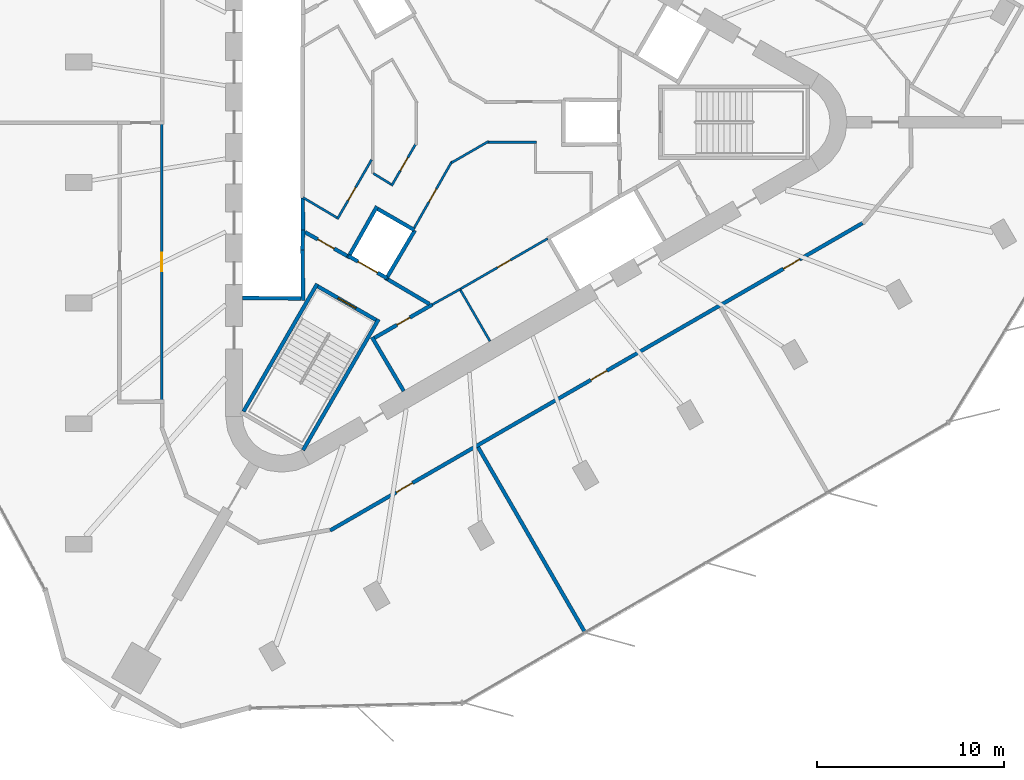
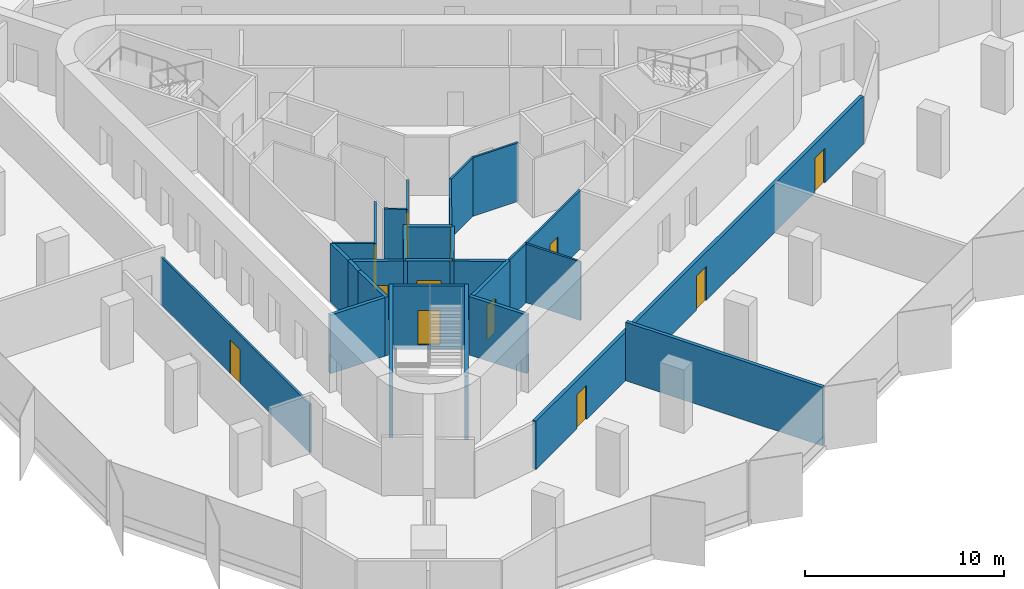
# One storey, part 7 of 12: 28 walls, 12 doors, 12 openings.
"""IFC4 building model written with IfcOpenShell, lengths in metres."""

import ifcopenshell
import ifcopenshell.guid

model = None  # the IFC model being written
_history = None  # IfcOwnerHistory: only IFC2X3 demands one
_inside = {}  # id of a spatial element -> (the spatial element, [elements in it])
_under = {}  # id of a project, library or spatial element -> (it, [spatial elements below it])
_declared = {}  # id of a project -> (the project, [libraries it declares])
_typed = {}  # id of a type object -> (the type object, [elements of that type])
_made_of = {}  # id of a material, layer set ... -> (it, [elements and type objects made of it])


def new_model(schema):
    """Start an empty IFC model of exactly this schema.

    Asked for "IFC4X3", IfcOpenShell would pick the latest addendum, in which some entities
    have other attributes; the version numbers below select the first issue.
    IFC2X3 requires an IfcOwnerHistory on every rooted entity: one is made here for all.
    """
    global model, _history
    if schema == "IFC4X3":
        model = ifcopenshell.file(schema_version=(4, 3, 0, 0))
    else:
        model = ifcopenshell.file(schema=schema)
    _inside.clear()
    _under.clear()
    _declared.clear()
    _typed.clear()
    _made_of.clear()
    _history = None
    if model.schema == "IFC2X3":
        org = make("IfcOrganization", Name="unknown")
        user = make(
            "IfcPersonAndOrganization",
            ThePerson=make("IfcPerson", FamilyName="unknown"),
            TheOrganization=org,
        )
        app = make(
            "IfcApplication",
            ApplicationDeveloper=org,
            Version="unknown",
            ApplicationFullName="unknown",
            ApplicationIdentifier="unknown",
        )
        _history = make(
            "IfcOwnerHistory",
            OwningUser=user,
            OwningApplication=app,
            ChangeAction="ADDED",
            CreationDate=0,
        )
    return model


def make(cls, **values):
    """One entity of the class cls with the attributes given. An attribute that is None is left unset."""
    return model.create_entity(
        cls, **{name: value for name, value in values.items() if value is not None}
    )


def rooted(cls, **values):
    """An entity with a GlobalId (a new one), such as an element, a storey or a relation."""
    return make(cls, GlobalId=ifcopenshell.guid.new(), OwnerHistory=_history, **values)


def si_unit(unit_type, name, prefix=None):
    """IfcSIUnit, for example si_unit("LENGTHUNIT", "METRE", prefix="MILLI")."""
    return make("IfcSIUnit", UnitType=unit_type, Prefix=prefix, Name=name)


def assignment(units):
    """IfcUnitAssignment: the units of a project."""
    return None if units is None else make("IfcUnitAssignment", Units=units)


def point(xyz):
    """IfcCartesianPoint."""
    return None if xyz is None else make("IfcCartesianPoint", Coordinates=xyz)


def direction(xyz):
    """IfcDirection."""
    return None if xyz is None else make("IfcDirection", DirectionRatios=xyz)


def frame(location, z_axis=None, x_axis=None):
    """IfcAxis2Placement3D, a coordinate frame: its origin and axes. An axis left out is left unset."""
    return make(
        "IfcAxis2Placement3D",
        Location=point(location),
        Axis=direction(z_axis),
        RefDirection=direction(x_axis),
    )


def frame_2d(location, x_axis=None):
    """IfcAxis2Placement2D, a coordinate frame in the plane: its origin and x axis."""
    return make(
        "IfcAxis2Placement2D", Location=point(location), RefDirection=direction(x_axis)
    )


def origin():
    """The frame at (0, 0, 0) with its axes left unset."""
    return frame((0.0, 0.0, 0.0))


def place(relative_to, where):
    """IfcLocalPlacement: puts the frame where relative to a parent placement (None: the world)."""
    return make(
        "IfcLocalPlacement", PlacementRelTo=relative_to, RelativePlacement=where
    )


def context(
    kind, dimensions, precision=None, world=None, true_north=None, identifier=None
):
    """IfcGeometricRepresentationContext, for example the 3D "Model" context."""
    return make(
        "IfcGeometricRepresentationContext",
        ContextIdentifier=identifier,
        ContextType=kind,
        CoordinateSpaceDimension=dimensions,
        Precision=precision,
        WorldCoordinateSystem=world,
        TrueNorth=true_north,
    )


def subcontext(parent, identifier, kind, view, scale=None):
    """IfcGeometricRepresentationSubContext, for example "Body" below "Model"."""
    return make(
        "IfcGeometricRepresentationSubContext",
        ContextIdentifier=identifier,
        ContextType=kind,
        ParentContext=parent,
        TargetScale=scale,
        TargetView=view,
    )


def project(units=None, contexts=None):
    """IfcProject with its units and contexts."""
    return rooted(
        "IfcProject",
        Name="project",
        RepresentationContexts=contexts,
        UnitsInContext=assignment(units),
    )


def spatial(cls, under=None, at=None, **own):
    """A site, building, storey or space (cls), placed at a placement, below another one or the project."""
    s = rooted(cls, ObjectPlacement=at, **own)
    if under is not None:
        _under.setdefault(under.id(), (under, []))[1].append(s)
    return s


def profile(cls, at=None, kind="AREA", **sizes):
    """A parametric profile (cls). Its sizes go by their IFC names, for example OverallWidth=200.0."""
    return make(cls, ProfileType=kind, Position=at, **sizes)


def rectangle(**sizes):
    """IfcRectangleProfileDef."""
    return profile("IfcRectangleProfileDef", **sizes)


def extrude(swept, where, along, depth):
    """IfcExtrudedAreaSolid: the profile swept, set in the frame where, extruded along a direction by depth."""
    return make(
        "IfcExtrudedAreaSolid",
        SweptArea=swept,
        Position=where,
        ExtrudedDirection=direction(along),
        Depth=depth,
    )


def shape(context_of_items, identifier, shape_type, items):
    """IfcShapeRepresentation: the items that make up one representation, for example the "Body"."""
    return make(
        "IfcShapeRepresentation",
        ContextOfItems=context_of_items,
        RepresentationIdentifier=identifier,
        RepresentationType=shape_type,
        Items=items,
    )


def material(Name=None, Category=None):
    """IfcMaterial."""
    return make("IfcMaterial", Name=Name, Category=Category)


def layer(
    of_material, thickness, ventilated=None, Name=None, Category=None, Priority=None
):
    """IfcMaterialLayer: one layer of a wall or slab, of a material (None: an air gap)."""
    return make(
        "IfcMaterialLayer",
        Material=of_material,
        LayerThickness=thickness,
        IsVentilated=ventilated,
        Name=Name,
        Category=Category,
        Priority=Priority,
    )


def layer_set(layers, Name=None):
    """IfcMaterialLayerSet."""
    return make("IfcMaterialLayerSet", MaterialLayers=layers, LayerSetName=Name)


def made_of(thing, what):
    """Note that an element or type object is made of a material, layer set ...; save() writes the relation."""
    if what is not None:
        _made_of.setdefault(what.id(), (what, []))[1].append(thing)
    return thing


def type_object(cls, material=None, **own):
    """A type object (cls), such as IfcWallType, which elements share."""
    return made_of(rooted(cls, **own), material)


def element(
    cls,
    number,
    at=None,
    inside=None,
    cuts=None,
    type_object=None,
    material=None,
    context=None,
    identifier="Body",
    shape_type=None,
    held_by="IfcProductDefinitionShape",
    body=None,
    shapes=None,
    **own,
):
    """One element of the class cls, such as IfcWall. Its Tag is "e" and its number.

    at: its placement. inside: the storey or other place that contains it. cuts: it is an
    opening in that element (IfcRelVoidsElement). A single representation is given by context,
    identifier, shape_type and body (its items); several are given by shapes. held_by: the class
    of the entity that holds the representations. save() writes the other relations.
    """
    e = rooted(cls, Tag="e%d" % number, ObjectPlacement=at, **own)
    if body is not None:
        shapes = [shape(context, identifier, shape_type, body)]
    if shapes is not None:
        e.Representation = make(held_by, Representations=shapes)
    if inside is not None:
        _inside.setdefault(inside.id(), (inside, []))[1].append(e)
    if cuts is not None:
        rooted(
            "IfcRelVoidsElement", RelatingBuildingElement=cuts, RelatedOpeningElement=e
        )
    if type_object is not None:
        _typed.setdefault(type_object.id(), (type_object, []))[1].append(e)
    return made_of(e, material)


def fill(opening, filler):
    """IfcRelFillsElement: the door or window that sits in an opening."""
    return rooted(
        "IfcRelFillsElement",
        RelatingOpeningElement=opening,
        RelatedBuildingElement=filler,
    )


def aggregate(whole, parts):
    """IfcRelAggregates: a whole, such as a stair, and the parts it consists of."""
    return rooted("IfcRelAggregates", RelatingObject=whole, RelatedObjects=parts)


def save(model, path):
    """Write the relations noted so far, then the file.

    IfcRelAggregates (storeys below a building ...), IfcRelContainedInSpatialStructure (elements
    in a storey), IfcRelDefinesByType, IfcRelAssociatesMaterial and IfcRelDeclares: one each for
    every whole, place, type object, material and project.
    """
    for whole, parts in _under.values():
        aggregate(whole, parts)
    for where, things in _inside.values():
        rooted(
            "IfcRelContainedInSpatialStructure",
            RelatedElements=things,
            RelatingStructure=where,
        )
    for kind, things in _typed.values():
        rooted("IfcRelDefinesByType", RelatedObjects=things, RelatingType=kind)
    for what, things in _made_of.values():
        rooted("IfcRelAssociatesMaterial", RelatedObjects=things, RelatingMaterial=what)
    for by, libraries in _declared.values():
        rooted("IfcRelDeclares", RelatingContext=by, RelatedDefinitions=libraries)
    model.write(path)


model = new_model("IFC4")

# Units and contexts
model_context = context("Model", 3, precision=1e-05, world=origin(), true_north=direction((0.0, 1.0)))
body_context = subcontext(model_context, "Body", "Model", "MODEL_VIEW")
ifc_project = project(units=[si_unit("LENGTHUNIT", "METRE"), si_unit("AREAUNIT", "SQUARE_METRE"), si_unit("VOLUMEUNIT", "CUBIC_METRE"), si_unit("PLANEANGLEUNIT", "RADIAN"), si_unit("MASSUNIT", "GRAM", prefix="KILO")], contexts=[model_context])

# Site, building, storey
site_placement = place(None, origin())
site = spatial("IfcSite", under=ifc_project, at=site_placement, CompositionType="ELEMENT")
building_placement = place(site_placement, origin())
building = spatial("IfcBuilding", under=site, at=building_placement, Name="Tanit Gate Tower", CompositionType="ELEMENT")
storey_placement = place(building_placement, frame((0.0, 0.0, 341.60009765625)))
storey = spatial("IfcBuildingStorey", under=building, at=storey_placement, Name="L77", CompositionType="ELEMENT", Elevation=341.60009765625)

# Wall
ifc_material_1 = material(Name="Fire-rated gypsum board partition")
ifc_layer_1 = layer(ifc_material_1, 0.199951171875)
ifc_layer_set_1 = layer_set([ifc_layer_1], Name="INT-WALL-COMPARTMENT")
wall_type_1 = type_object("IfcWallType", Name="INT-WALL-COMPARTMENT", PredefinedType="PARTITIONING", material=ifc_layer_set_1)
wall_1_placement = place(storey_placement, frame((-4.259765625, -11.523681640625, 0.0), z_axis=(0.0, 0.0, 1.0), x_axis=(0.507997497166, -0.861358544901, 0.0)))
element("IfcWall", 1, at=wall_1_placement, inside=storey, type_object=wall_type_1, Name="Wall Compartment W053", PredefinedType="PARTITIONING", context=body_context, shape_type="SweptSolid", body=[
    extrude(rectangle(XDim=3.350341796875, YDim=0.199951171875, at=frame_2d((1.67529296875, 0.0))), origin(), (0.0, 0.0, 1.0), 3.599853515625),
])

# Wall, opening, door
wall_2_placement = place(storey_placement, frame((-1.02392578125, -9.77099609375, 0.0), z_axis=(0.0, 0.0, 1.0), x_axis=(-0.866029903013, -0.499992207027, 0.0)))
wall_2 = element("IfcWall", 2, at=wall_2_placement, inside=storey, type_object=wall_type_1, Name="Wall Compartment W054", PredefinedType="PARTITIONING", context=body_context, shape_type="SweptSolid", body=[
    extrude(rectangle(XDim=3.57763671875, YDim=0.199951171875, at=frame_2d((1.788818359375, 0.0))), origin(), (0.0, 0.0, 1.0), 3.599853515625),
])
opening_1_placement = place(wall_2_placement, frame((1.388916015625, 0.0, 0.0)))
opening_1 = element("IfcOpeningElement", 3, at=opening_1_placement, cuts=wall_2, Name="Opening R08-S21-17", PredefinedType="OPENING", context=body_context, shape_type="SweptSolid", body=[
    extrude(rectangle(XDim=0.800048828125, YDim=2.10009765625, at=frame_2d((0.39990234375, 1.050048828125))), frame((0.0, 0.10986328125, 0.0), z_axis=(0.0, -1.0, 0.0), x_axis=(1.0, 0.0, 0.0)), (0.0, 0.0, 1.0), 0.219970703125),
])
ifc_material_2 = material(Name="Timber door leaf", Category="wood")
door_type_1 = type_object("IfcDoorType", Name="INT-DOOR-RISER-800", OperationType="NOTDEFINED", PredefinedType="USERDEFINED", material=ifc_material_2)
door_1_placement = place(opening_1_placement, origin())
door_1 = element("IfcDoor", 4, at=door_1_placement, inside=storey, type_object=door_type_1, Name="Door R08-S21-17", ObjectType="FIRE DOOR", OperationType="SINGLE_SWING_RIGHT", OverallHeight=2.10009765625, OverallWidth=0.800048828125, PredefinedType="USERDEFINED", context=body_context, shape_type="SweptSolid", body=[
    extrude(rectangle(XDim=0.800048828125, YDim=2.10009765625, at=frame_2d((0.39990234375, 1.050048828125))), frame((0.0, 0.02490234375, 0.0), z_axis=(0.0, -1.0, 0.0), x_axis=(1.0, 0.0, 0.0)), (0.0, 0.0, 1.0), 0.050048828125),
])
fill(opening_1, door_1)

# Wall
wall_3_placement = place(storey_placement, frame((-3.400634765625, -8.43017578125, 0.0), z_axis=(0.0, 0.0, 1.0), x_axis=(0.860630814782, -0.509229418482, 0.0)))
element("IfcWall", 5, at=wall_3_placement, inside=storey, type_object=wall_type_1, Name="Wall Compartment W063", PredefinedType="PARTITIONING", context=body_context, shape_type="SweptSolid", body=[
    extrude(rectangle(XDim=2.581787109375, YDim=0.199951171875, at=frame_2d((1.291015625, 0.0))), origin(), (0.0, 0.0, 1.0), 3.599853515625),
])

# Wall, opening, door
wall_4_placement = place(storey_placement, frame((-7.849365234375, -5.893798828125, 0.0), z_axis=(0.0, 0.0, 1.0), x_axis=(0.871363259478, -0.490638431059, 0.0)))
wall_4 = element("IfcWall", 6, at=wall_4_placement, inside=storey, type_object=wall_type_1, Name="Wall Compartment W064", PredefinedType="PARTITIONING", context=body_context, shape_type="SweptSolid", body=[
    extrude(rectangle(XDim=2.5810546875, YDim=0.199951171875, at=frame_2d((1.29052734375, 0.0))), origin(), (0.0, 0.0, 1.0), 3.599853515625),
])
opening_2_placement = place(wall_4_placement, frame((0.79052734375, 0.0, 0.0)))
opening_2 = element("IfcOpeningElement", 7, at=opening_2_placement, cuts=wall_4, Name="Opening F10-S21-08", PredefinedType="OPENING", context=body_context, shape_type="SweptSolid", body=[
    extrude(rectangle(XDim=1.0, YDim=2.10009765625, at=frame_2d((0.5, 1.050048828125))), frame((0.0, 0.10986328125, 0.0), z_axis=(0.0, -1.0, 0.0), x_axis=(1.0, 0.0, 0.0)), (0.0, 0.0, 1.0), 0.219970703125),
])
ifc_material_3 = material(Name="Fire-rated steel door leaf", Category="steel")
door_type_2 = type_object("IfcDoorType", Name="INT-DOOR-FIRE-1000", OperationType="NOTDEFINED", PredefinedType="USERDEFINED", material=ifc_material_3)
door_2_placement = place(opening_2_placement, origin())
door_2 = element("IfcDoor", 8, at=door_2_placement, inside=storey, type_object=door_type_2, Name="Door F10-S21-08", ObjectType="FIRE DOOR", OperationType="SINGLE_SWING_LEFT", OverallHeight=2.10009765625, OverallWidth=1.0, PredefinedType="USERDEFINED", context=body_context, shape_type="SweptSolid", body=[
    extrude(rectangle(XDim=1.0, YDim=2.10009765625, at=frame_2d((0.5, 1.050048828125))), frame((0.0, 0.02490234375, 0.0), z_axis=(0.0, -1.0, 0.0), x_axis=(1.0, 0.0, 0.0)), (0.0, 0.0, 1.0), 0.050048828125),
])
fill(opening_2, door_2)

# Wall, openings, doors
wall_5_placement = place(storey_placement, frame((-6.505126953125, -21.884521484375, 0.0), z_axis=(0.0, 0.0, 1.0), x_axis=(0.86602457258, 0.500001439686, 0.0)))
wall_5 = element("IfcWall", 9, at=wall_5_placement, inside=storey, type_object=wall_type_1, Name="Wall Compartment W106", PredefinedType="PARTITIONING", context=body_context, shape_type="SweptSolid", body=[
    extrude(rectangle(XDim=32.95166015625, YDim=0.199951171875, at=frame_2d((16.475830078125, 0.0))), origin(), (0.0, 0.0, 1.0), 2.969970703125),
])
opening_3_placement = place(wall_5_placement, frame((28.06103515625, 0.0, 0.0)))
opening_3 = element("IfcOpeningElement", 10, at=opening_3_placement, cuts=wall_5, Name="Opening F10-S21-30", PredefinedType="OPENING", context=body_context, shape_type="SweptSolid", body=[
    extrude(rectangle(XDim=1.0, YDim=2.10009765625, at=frame_2d((0.5, 1.050048828125))), frame((0.0, 0.10986328125, 0.0), z_axis=(0.0, -1.0, 0.0), x_axis=(1.0, 0.0, 0.0)), (0.0, 0.0, 1.0), 0.219970703125),
])
opening_4_placement = place(wall_5_placement, frame((16.13671875, 0.0, 0.0)))
opening_4 = element("IfcOpeningElement", 11, at=opening_4_placement, cuts=wall_5, Name="Opening F10-S21-31", PredefinedType="OPENING", context=body_context, shape_type="SweptSolid", body=[
    extrude(rectangle(XDim=1.0, YDim=2.10009765625, at=frame_2d((0.5, 1.050048828125))), frame((0.0, 0.10986328125, 0.0), z_axis=(0.0, -1.0, 0.0), x_axis=(1.0, 0.0, 0.0)), (0.0, 0.0, 1.0), 0.219970703125),
])
opening_5_placement = place(wall_5_placement, frame((4.101318359375, 0.0, 0.0)))
opening_5 = element("IfcOpeningElement", 12, at=opening_5_placement, cuts=wall_5, Name="Opening F10-S21-32", PredefinedType="OPENING", context=body_context, shape_type="SweptSolid", body=[
    extrude(rectangle(XDim=1.0, YDim=2.10009765625, at=frame_2d((0.5, 1.050048828125))), frame((0.0, 0.10986328125, 0.0), z_axis=(0.0, -1.0, 0.0), x_axis=(1.0, 0.0, 0.0)), (0.0, 0.0, 1.0), 0.219970703125),
])
door_3_placement = place(opening_3_placement, origin())
door_3 = element("IfcDoor", 13, at=door_3_placement, inside=storey, type_object=door_type_2, Name="Door F10-S21-30", ObjectType="FIRE DOOR", OperationType="SINGLE_SWING_LEFT", OverallHeight=2.10009765625, OverallWidth=1.0, PredefinedType="USERDEFINED", context=body_context, shape_type="SweptSolid", body=[
    extrude(rectangle(XDim=1.0, YDim=2.10009765625, at=frame_2d((0.5, 1.050048828125))), frame((0.0, 0.02490234375, 0.0), z_axis=(0.0, -1.0, 0.0), x_axis=(1.0, 0.0, 0.0)), (0.0, 0.0, 1.0), 0.050048828125),
])
fill(opening_3, door_3)
door_4_placement = place(opening_4_placement, origin())
door_4 = element("IfcDoor", 14, at=door_4_placement, inside=storey, type_object=door_type_2, Name="Door F10-S21-31", ObjectType="FIRE DOOR", OperationType="SINGLE_SWING_LEFT", OverallHeight=2.10009765625, OverallWidth=1.0, PredefinedType="USERDEFINED", context=body_context, shape_type="SweptSolid", body=[
    extrude(rectangle(XDim=1.0, YDim=2.10009765625, at=frame_2d((0.5, 1.050048828125))), frame((0.0, 0.02490234375, 0.0), z_axis=(0.0, -1.0, 0.0), x_axis=(1.0, 0.0, 0.0)), (0.0, 0.0, 1.0), 0.050048828125),
])
fill(opening_4, door_4)
door_5_placement = place(opening_5_placement, origin())
door_5 = element("IfcDoor", 15, at=door_5_placement, inside=storey, type_object=door_type_2, Name="Door F10-S21-32", ObjectType="FIRE DOOR", OperationType="SINGLE_SWING_LEFT", OverallHeight=2.10009765625, OverallWidth=1.0, PredefinedType="USERDEFINED", context=body_context, shape_type="SweptSolid", body=[
    extrude(rectangle(XDim=1.0, YDim=2.10009765625, at=frame_2d((0.5, 1.050048828125))), frame((0.0, 0.02490234375, 0.0), z_axis=(0.0, -1.0, 0.0), x_axis=(1.0, 0.0, 0.0)), (0.0, 0.0, 1.0), 0.050048828125),
])
fill(opening_5, door_5)

# Walls
wall_6_placement = place(storey_placement, frame((7.156005859375, -27.342529296875, 0.0), z_axis=(0.0, 0.0, 1.0), x_axis=(-0.499948106888, 0.866055362214, 0.0)))
element("IfcWall", 16, at=wall_6_placement, inside=storey, type_object=wall_type_1, Name="Wall Compartment W125", PredefinedType="PARTITIONING", context=body_context, shape_type="SweptSolid", body=[
    extrude(rectangle(XDim=11.457275390625, YDim=0.199951171875, at=frame_2d((5.728515625, 0.0))), origin(), (0.0, 0.0, 1.0), 3.599853515625),
])
ifc_material_4 = material(Name="Gypsum board partition")
ifc_layer_2 = layer(ifc_material_4, 0.1201171875)
ifc_layer_set_2 = layer_set([ifc_layer_2], Name="INT-WALL-PARTITION")
wall_type_2 = type_object("IfcWallType", Name="INT-WALL-PARTITION", PredefinedType="PARTITIONING", material=ifc_layer_set_2)
wall_7_placement = place(storey_placement, frame((2.066650390625, -11.739501953125, 0.0), z_axis=(0.0, 0.0, 1.0), x_axis=(-0.499984717929, 0.866034226713, 0.0)))
element("IfcWall", 17, at=wall_7_placement, inside=storey, type_object=wall_type_2, Name="Wall Partition W052", PredefinedType="PARTITIONING", context=body_context, shape_type="SweptSolid", body=[
    extrude(rectangle(XDim=3.25, YDim=0.1201171875, at=frame_2d((1.625, 0.0))), origin(), (0.0, 0.0, 1.0), 3.599853515625),
])
wall_8_placement = place(storey_placement, frame((-1.0234375, -9.77197265625, 0.0), z_axis=(0.0, 0.0, 1.0), x_axis=(0.874290944206, 0.485402250592, 0.0)))
element("IfcWall", 18, at=wall_8_placement, inside=storey, type_object=wall_type_2, Name="Wall Partition W055", PredefinedType="PARTITIONING", context=body_context, shape_type="SweptSolid", body=[
    extrude(rectangle(XDim=1.72265625, YDim=0.1201171875, at=frame_2d((0.861328125, 0.0))), origin(), (0.0, 0.0, 1.0), 3.599853515625),
])

# Wall, opening, door
wall_9_placement = place(storey_placement, frame((0.482666015625, -8.935791015625, 0.0), z_axis=(0.0, 0.0, 1.0), x_axis=(0.866028230842, 0.499995103361, 0.0)))
wall_9 = element("IfcWall", 19, at=wall_9_placement, inside=storey, type_object=wall_type_2, Name="Wall Partition W056", PredefinedType="PARTITIONING", context=body_context, shape_type="SweptSolid", body=[
    extrude(rectangle(XDim=5.39990234375, YDim=0.1201171875, at=frame_2d((2.699951171875, 0.0))), origin(), (0.0, 0.0, 1.0), 3.599853515625),
])
opening_6_placement = place(wall_9_placement, frame((2.300048828125, 0.0, 0.0)))
opening_6 = element("IfcOpeningElement", 20, at=opening_6_placement, cuts=wall_9, Name="Opening R08-S21-18", PredefinedType="OPENING", context=body_context, shape_type="SweptSolid", body=[
    extrude(rectangle(XDim=0.800048828125, YDim=2.10009765625, at=frame_2d((0.39990234375, 1.050048828125))), frame((0.0, 0.070068359375, 0.0), z_axis=(0.0, -1.0, 0.0), x_axis=(1.0, 0.0, 0.0)), (0.0, 0.0, 1.0), 0.14013671875),
])
door_6_placement = place(opening_6_placement, origin())
door_6 = element("IfcDoor", 21, at=door_6_placement, inside=storey, type_object=door_type_1, Name="Door R08-S21-18", ObjectType="FIRE DOOR", OperationType="SINGLE_SWING_RIGHT", OverallHeight=2.10009765625, OverallWidth=0.800048828125, PredefinedType="USERDEFINED", context=body_context, shape_type="SweptSolid", body=[
    extrude(rectangle(XDim=0.800048828125, YDim=2.10009765625, at=frame_2d((0.39990234375, 1.050048828125))), frame((0.0, 0.02490234375, 0.0), z_axis=(0.0, -1.0, 0.0), x_axis=(1.0, 0.0, 0.0)), (0.0, 0.0, 1.0), 0.050048828125),
])
fill(opening_6, door_6)

wall_10_placement = place(storey_placement, frame((0.02880859375, -2.0986328125, 0.0), z_axis=(0.0, 0.0, 1.0), x_axis=(-0.49376265119, -0.869596713592, 0.0)))
wall_10 = element("IfcWall", 22, at=wall_10_placement, inside=storey, type_object=wall_type_2, Name="Wall Partition W068", PredefinedType="PARTITIONING", context=body_context, shape_type="SweptSolid", body=[
    extrude(rectangle(XDim=4.096923828125, YDim=0.1201171875, at=frame_2d((2.04833984375, 0.0))), origin(), (0.0, 0.0, 1.0), 3.599853515625),
])
opening_7_placement = place(wall_10_placement, frame((1.69970703125, 0.0, 0.0)))
opening_7 = element("IfcOpeningElement", 23, at=opening_7_placement, cuts=wall_10, Name="Opening R08-S21-11", PredefinedType="OPENING", context=body_context, shape_type="SweptSolid", body=[
    extrude(rectangle(XDim=0.800048828125, YDim=2.10009765625, at=frame_2d((0.39990234375, 1.050048828125))), frame((0.0, 0.070068359375, 0.0), z_axis=(0.0, -1.0, 0.0), x_axis=(1.0, 0.0, 0.0)), (0.0, 0.0, 1.0), 0.14013671875),
])
door_7_placement = place(opening_7_placement, origin())
door_7 = element("IfcDoor", 24, at=door_7_placement, inside=storey, type_object=door_type_1, Name="Door R08-S21-11", ObjectType="FIRE DOOR", OperationType="SINGLE_SWING_RIGHT", OverallHeight=2.10009765625, OverallWidth=0.800048828125, PredefinedType="USERDEFINED", context=body_context, shape_type="SweptSolid", body=[
    extrude(rectangle(XDim=0.800048828125, YDim=2.10009765625, at=frame_2d((0.39990234375, 1.050048828125))), frame((0.0, 0.02490234375, 0.0), z_axis=(0.0, -1.0, 0.0), x_axis=(1.0, 0.0, 0.0)), (0.0, 0.0, 1.0), 0.050048828125),
])
fill(opening_7, door_7)

# Walls
wall_11_placement = place(storey_placement, frame((1.995361328125, -1.02294921875, 0.0), z_axis=(0.0, 0.0, 1.0), x_axis=(-0.866043041921, -0.499969448606, 0.0)))
element("IfcWall", 25, at=wall_11_placement, inside=storey, type_object=wall_type_2, Name="Wall Partition W069", PredefinedType="PARTITIONING", context=body_context, shape_type="SweptSolid", body=[
    extrude(rectangle(XDim=2.310302734375, YDim=0.1201171875, at=frame_2d((1.1552734375, 0.0))), origin(), (0.0, 0.0, 1.0), 3.599853515625),
])
wall_12_placement = place(storey_placement, frame((4.56005859375, -1.074951171875, 0.0), z_axis=(0.0, 0.0, 1.0), x_axis=(-1.0, 0.0, 0.0)))
element("IfcWall", 26, at=wall_12_placement, inside=storey, type_object=wall_type_2, Name="Wall Partition W070", PredefinedType="PARTITIONING", context=body_context, shape_type="SweptSolid", body=[
    extrude(rectangle(XDim=2.63623046875, YDim=0.1201171875, at=frame_2d((1.318115234375, 0.0))), origin(), (0.0, 0.0, 1.0), 3.599853515625),
])

# Wall, opening, door
wall_13_placement = place(storey_placement, frame((-6.1181640625, -5.197265625, 0.0), z_axis=(0.0, 0.0, 1.0), x_axis=(0.499979045085, 0.866037501772, 0.0)))
wall_13 = element("IfcWall", 27, at=wall_13_placement, inside=storey, type_object=wall_type_2, Name="Wall Partition W075", PredefinedType="PARTITIONING", context=body_context, shape_type="SweptSolid", body=[
    extrude(rectangle(XDim=3.678955078125, YDim=0.1201171875, at=frame_2d((1.83935546875, 0.0))), origin(), (0.0, 0.0, 1.0), 3.599853515625),
])
opening_8_placement = place(wall_13_placement, frame((1.159912109375, 0.0, 0.0)))
opening_8 = element("IfcOpeningElement", 28, at=opening_8_placement, cuts=wall_13, Name="Opening R08-S21-12", PredefinedType="OPENING", context=body_context, shape_type="SweptSolid", body=[
    extrude(rectangle(XDim=0.800048828125, YDim=2.10009765625, at=frame_2d((0.39990234375, 1.050048828125))), frame((0.0, 0.070068359375, 0.0), z_axis=(0.0, -1.0, 0.0), x_axis=(1.0, 0.0, 0.0)), (0.0, 0.0, 1.0), 0.14013671875),
])
door_8_placement = place(opening_8_placement, origin())
door_8 = element("IfcDoor", 29, at=door_8_placement, inside=storey, type_object=door_type_1, Name="Door R08-S21-12", ObjectType="FIRE DOOR", OperationType="SINGLE_SWING_RIGHT", OverallHeight=2.10009765625, OverallWidth=0.800048828125, PredefinedType="USERDEFINED", context=body_context, shape_type="SweptSolid", body=[
    extrude(rectangle(XDim=0.800048828125, YDim=2.10009765625, at=frame_2d((0.39990234375, 1.050048828125))), frame((0.0, 0.02490234375, 0.0), z_axis=(0.0, -1.0, 0.0), x_axis=(1.0, 0.0, 0.0)), (0.0, 0.0, 1.0), 0.050048828125),
])
fill(opening_8, door_8)

# Wall
wall_14_placement = place(storey_placement, frame((-7.949951171875, -4.041015625, 0.0), z_axis=(0.0, 0.0, 1.0), x_axis=(0.860112457103, -0.510104461004, 0.0)))
element("IfcWall", 30, at=wall_14_placement, inside=storey, type_object=wall_type_2, Name="Wall Partition W076", PredefinedType="PARTITIONING", context=body_context, shape_type="SweptSolid", body=[
    extrude(rectangle(XDim=2.1044921875, YDim=0.1201171875, at=frame_2d((1.05224609375, 0.0))), origin(), (0.0, 0.0, 1.0), 3.599853515625),
])

# Wall, opening, door
wall_15_placement = place(storey_placement, frame((-3.2109375, -3.41162109375, 0.0), z_axis=(0.0, 0.0, 1.0), x_axis=(0.500013727357, 0.866017478146, 0.0)))
wall_15 = element("IfcWall", 31, at=wall_15_placement, inside=storey, type_object=wall_type_2, Name="Wall Partition W082", PredefinedType="PARTITIONING", context=body_context, shape_type="SweptSolid", body=[
    extrude(rectangle(XDim=2.63623046875, YDim=0.1201171875, at=frame_2d((1.318115234375, 0.0))), origin(), (0.0, 0.0, 1.0), 3.599853515625),
])
opening_9_placement = place(wall_15_placement, frame((0.947998046875, 0.0, 0.0)))
opening_9 = element("IfcOpeningElement", 32, at=opening_9_placement, cuts=wall_15, Name="Opening R08-S21-13", PredefinedType="OPENING", context=body_context, shape_type="SweptSolid", body=[
    extrude(rectangle(XDim=0.800048828125, YDim=2.10009765625, at=frame_2d((0.39990234375, 1.050048828125))), frame((0.0, 0.070068359375, 0.0), z_axis=(0.0, -1.0, 0.0), x_axis=(1.0, 0.0, 0.0)), (0.0, 0.0, 1.0), 0.14013671875),
])
door_9_placement = place(opening_9_placement, origin())
door_9 = element("IfcDoor", 33, at=door_9_placement, inside=storey, type_object=door_type_1, Name="Door R08-S21-13", ObjectType="FIRE DOOR", OperationType="SINGLE_SWING_LEFT", OverallHeight=2.10009765625, OverallWidth=0.800048828125, PredefinedType="USERDEFINED", context=body_context, shape_type="SweptSolid", body=[
    extrude(rectangle(XDim=0.800048828125, YDim=2.10009765625, at=frame_2d((0.39990234375, 1.050048828125))), frame((0.0, 0.02490234375, 0.0), z_axis=(0.0, -1.0, 0.0), x_axis=(1.0, 0.0, 0.0)), (0.0, 0.0, 1.0), 0.050048828125),
])
fill(opening_9, door_9)

# Wall
wall_16_placement = place(storey_placement, frame((-4.188720703125, -2.74365234375, 0.0), z_axis=(0.0, 0.0, 1.0), x_axis=(0.853217230587, -0.521555708845, 0.0)))
element("IfcWall", 34, at=wall_16_placement, inside=storey, type_object=wall_type_2, Name="Wall Partition W083", PredefinedType="PARTITIONING", context=body_context, shape_type="SweptSolid", body=[
    extrude(rectangle(XDim=1.12109375, YDim=0.1201171875, at=frame_2d((0.560546875, 0.0))), origin(), (0.0, 0.0, 1.0), 3.599853515625),
])

# Wall, opening, door
wall_17_placement = place(storey_placement, frame((-15.530029296875, 0.0, 0.0), z_axis=(0.0, 0.0, 1.0), x_axis=(0.0, -1.0, 0.0)))
wall_17 = element("IfcWall", 35, at=wall_17_placement, inside=storey, type_object=wall_type_2, Name="Wall Partition W084", PredefinedType="PARTITIONING", context=body_context, shape_type="SweptSolid", body=[
    extrude(rectangle(XDim=15.0, YDim=0.1201171875, at=frame_2d((7.5, 0.0))), origin(), (0.0, 0.0, 1.0), 2.969970703125),
])
opening_10_placement = place(wall_17_placement, frame((7.0, 0.0, 0.0)))
opening_10 = element("IfcOpeningElement", 36, at=opening_10_placement, cuts=wall_17, Name="Opening D10-S21-21", PredefinedType="OPENING", context=body_context, shape_type="SweptSolid", body=[
    extrude(rectangle(XDim=1.0, YDim=2.10009765625, at=frame_2d((0.5, 1.050048828125))), frame((0.0, 0.070068359375, 0.0), z_axis=(0.0, -1.0, 0.0), x_axis=(1.0, 0.0, 0.0)), (0.0, 0.0, 1.0), 0.14013671875),
])
ifc_material_5 = material(Name="Timber door leaf", Category="wood")
door_type_3 = type_object("IfcDoorType", Name="INT-DOOR-SINGLE-1000", OperationType="NOTDEFINED", PredefinedType="NOTDEFINED", material=ifc_material_5)
door_10_placement = place(opening_10_placement, origin())
door_10 = element("IfcDoor", 37, at=door_10_placement, inside=storey, type_object=door_type_3, Name="Door D10-S21-21", OperationType="SINGLE_SWING_LEFT", OverallHeight=2.10009765625, OverallWidth=1.0, PredefinedType="NOTDEFINED", context=body_context, shape_type="SweptSolid", body=[
    extrude(rectangle(XDim=1.0, YDim=2.10009765625, at=frame_2d((0.5, 1.050048828125))), frame((0.0, 0.02490234375, 0.0), z_axis=(0.0, -1.0, 0.0), x_axis=(1.0, 0.0, 0.0)), (0.0, 0.0, 1.0), 0.050048828125),
])
fill(opening_10, door_10)

# Walls
ifc_material_6 = material(Name="Gypsum shaft wall system")
ifc_layer_3 = layer(ifc_material_6, 0.199951171875)
ifc_layer_set_3 = layer_set([ifc_layer_3], Name="INT-WALL-SHAFT")
wall_type_3 = type_object("IfcWallType", Name="INT-WALL-SHAFT", PredefinedType="PLUMBINGWALL", material=ifc_layer_set_3)
wall_18_placement = place(storey_placement, frame((-7.949951171875, -5.7724609375, 0.0), z_axis=(0.0, 0.0, 1.0), x_axis=(-0.030803413295, -0.999525462272, 0.0)))
element("IfcWall", 38, at=wall_18_placement, inside=storey, type_object=wall_type_3, Name="Wall Shaft W008", PredefinedType="PLUMBINGWALL", context=body_context, shape_type="SweptSolid", body=[
    extrude(rectangle(XDim=1.077880859375, YDim=0.199951171875, at=frame_2d((0.5390625, 0.0))), origin(), (0.0, 0.0, 1.0), 3.599853515625),
])
wall_19_placement = place(storey_placement, frame((-7.971435546875, -4.050048828125, 0.0), z_axis=(0.0, 0.0, 1.0), x_axis=(0.012042535896, -0.999927486035, 0.0)))
element("IfcWall", 39, at=wall_19_placement, inside=storey, type_object=wall_type_3, Name="Wall Shaft W009", PredefinedType="PLUMBINGWALL", context=body_context, shape_type="SweptSolid", body=[
    extrude(rectangle(XDim=1.844970703125, YDim=0.199951171875, at=frame_2d((0.92236328125, 0.0))), origin(), (0.0, 0.0, 1.0), 3.599853515625),
])
wall_20_placement = place(storey_placement, frame((-7.97900390625, -6.85009765625, 0.0), z_axis=(0.0, 0.0, 1.0), x_axis=(0.011121475088, -0.999938154483, 0.0)))
element("IfcWall", 40, at=wall_20_placement, inside=storey, type_object=wall_type_3, Name="Wall Shaft W010", PredefinedType="PLUMBINGWALL", context=body_context, shape_type="SweptSolid", body=[
    extrude(rectangle(XDim=2.7001953125, YDim=0.199951171875, at=frame_2d((1.35009765625, 0.0))), origin(), (0.0, 0.0, 1.0), 3.599853515625),
])
wall_21_placement = place(storey_placement, frame((-8.050048828125, -9.448974609375, 0.0), z_axis=(0.0, 0.0, 1.0), x_axis=(-0.999957467379, 0.009222983926, 0.0)))
element("IfcWall", 41, at=wall_21_placement, inside=storey, type_object=wall_type_3, Name="Wall Shaft W011", PredefinedType="PLUMBINGWALL", context=body_context, shape_type="SweptSolid", body=[
    extrude(rectangle(XDim=3.150146484375, YDim=0.199951171875, at=frame_2d((1.5751953125, 0.0))), origin(), (0.0, 0.0, 1.0), 3.599853515625),
])

# Wall, opening, door
wall_22_placement = place(storey_placement, frame((-3.44580078125, -8.3681640625, 0.0), z_axis=(0.0, 0.0, 1.0), x_axis=(-0.866024647952, 0.500001309137, 0.0)))
wall_22 = element("IfcWall", 42, at=wall_22_placement, inside=storey, type_object=wall_type_3, Name="Wall Shaft W040", PredefinedType="PLUMBINGWALL", context=body_context, shape_type="SweptSolid", body=[
    extrude(rectangle(XDim=2.39990234375, YDim=0.199951171875, at=frame_2d((1.199951171875, 0.0))), origin(), (0.0, 0.0, 1.0), 3.599853515625),
])
opening_11_placement = place(wall_22_placement, frame((0.60009765625, 0.0, 0.0)))
opening_11 = element("IfcOpeningElement", 43, at=opening_11_placement, cuts=wall_22, Name="Opening LDFL3-L77", PredefinedType="OPENING", context=body_context, shape_type="SweptSolid", body=[
    extrude(rectangle(XDim=1.199951171875, YDim=2.39990234375, at=frame_2d((0.60009765625, 1.199951171875))), frame((0.0, 0.10986328125, 0.0), z_axis=(0.0, -1.0, 0.0), x_axis=(1.0, 0.0, 0.0)), (0.0, 0.0, 1.0), 0.219970703125),
])
ifc_material_7 = material(Name="Stainless steel sliding door leaf", Category="steel")
door_type_4 = type_object("IfcDoorType", Name="INT-DOOR-LANDING-1200", OperationType="NOTDEFINED", PredefinedType="USERDEFINED", material=ifc_material_7)
door_11_placement = place(opening_11_placement, origin())
door_11 = element("IfcDoor", 44, at=door_11_placement, inside=storey, type_object=door_type_4, Name="Door LDFL3-L77", ObjectType="LANDING DOOR", OperationType="SLIDING_TO_LEFT", OverallHeight=2.39990234375, OverallWidth=1.199951171875, PredefinedType="USERDEFINED", context=body_context, shape_type="SweptSolid", body=[
    extrude(rectangle(XDim=1.199951171875, YDim=2.39990234375, at=frame_2d((0.60009765625, 1.199951171875))), frame((0.0, 0.02490234375, 0.0), z_axis=(0.0, -1.0, 0.0), x_axis=(1.0, 0.0, 0.0)), (0.0, 0.0, 1.0), 0.050048828125),
])
fill(opening_11, door_11)

# Walls
wall_23_placement = place(storey_placement, frame((-1.960693359375, -5.796142578125, 0.0), z_axis=(0.0, 0.0, 1.0), x_axis=(-0.508647062354, -0.860975125052, 0.0)))
element("IfcWall", 45, at=wall_23_placement, inside=storey, type_object=wall_type_3, Name="Wall Shaft W041", PredefinedType="PLUMBINGWALL", context=body_context, shape_type="SweptSolid", body=[
    extrude(rectangle(XDim=3.10009765625, YDim=0.199951171875, at=frame_2d((1.550048828125, 0.0))), origin(), (0.0, 0.0, 1.0), 3.599853515625),
])
wall_24_placement = place(storey_placement, frame((-3.989990234375, -4.509033203125, 0.0), z_axis=(0.0, 0.0, 1.0), x_axis=(-0.491358283181, -0.870957540612, 0.0)))
element("IfcWall", 46, at=wall_24_placement, inside=storey, type_object=wall_type_3, Name="Wall Shaft W042", PredefinedType="PLUMBINGWALL", context=body_context, shape_type="SweptSolid", body=[
    extrude(rectangle(XDim=3.200439453125, YDim=0.199951171875, at=frame_2d((1.60009765625, 0.0))), origin(), (0.0, 0.0, 1.0), 3.599853515625),
])
wall_25_placement = place(storey_placement, frame((-3.95263671875, -4.646240234375, 0.0), z_axis=(0.0, 0.0, 1.0), x_axis=(0.866065302921, -0.4999308863, 0.0)))
element("IfcWall", 47, at=wall_25_placement, inside=storey, type_object=wall_type_3, Name="Wall Shaft W043", PredefinedType="PLUMBINGWALL", context=body_context, shape_type="SweptSolid", body=[
    extrude(rectangle(XDim=2.264404296875, YDim=0.199951171875, at=frame_2d((1.13232421875, 0.0))), origin(), (0.0, 0.0, 1.0), 3.599853515625),
])
ifc_material_8 = material(Name="Concrete C40/50", Category="concrete")
ifc_layer_4 = layer(ifc_material_8, 0.199951171875)
ifc_layer_set_4 = layer_set([ifc_layer_4], Name="INT-WALL-STAIR")
wall_type_4 = type_object("IfcWallType", Name="INT-WALL-STAIR", PredefinedType="SHEAR", material=ifc_layer_set_4)
wall_26_placement = place(storey_placement, frame((-3.904541015625, -10.56298828125, -0.300048828125), z_axis=(0.0, 0.0, 1.0), x_axis=(-0.500012932018, -0.866017937352, 0.0)))
element("IfcWall", 48, at=wall_26_placement, inside=storey, type_object=wall_type_4, Name="Wall Stair W036", PredefinedType="SHEAR", context=body_context, shape_type="SweptSolid", body=[
    extrude(rectangle(XDim=8.099853515625, YDim=0.199951171875, at=frame_2d((4.0498046875, 0.0))), origin(), (0.0, 0.0, 1.0), 3.89990234375),
])
wall_27_placement = place(storey_placement, frame((-7.195556640625, -8.662841796875, -0.300048828125), z_axis=(0.0, 0.0, 1.0), x_axis=(-0.499997992926, -0.866026562566, 0.0)))
element("IfcWall", 49, at=wall_27_placement, inside=storey, type_object=wall_type_4, Name="Wall Stair W038", PredefinedType="SHEAR", context=body_context, shape_type="SweptSolid", body=[
    extrude(rectangle(XDim=7.89990234375, YDim=0.199951171875, at=frame_2d((3.949951171875, 0.0))), origin(), (0.0, 0.0, 1.0), 3.89990234375),
])

# Wall, opening, door
wall_28_placement = place(storey_placement, frame((-4.041259765625, -10.599365234375, -0.300048828125), z_axis=(0.0, 0.0, 1.0), x_axis=(-0.866047807691, 0.499961193289, 0.0)))
wall_28 = element("IfcWall", 50, at=wall_28_placement, inside=storey, type_object=wall_type_4, Name="Wall Stair W039", PredefinedType="SHEAR", context=body_context, shape_type="SweptSolid", body=[
    extrude(rectangle(XDim=3.599853515625, YDim=0.199951171875, at=frame_2d((1.7998046875, 0.0))), origin(), (0.0, 0.0, 1.0), 3.89990234375),
])
opening_12_placement = place(wall_28_placement, frame((1.25, 0.0, 0.300048828125)))
opening_12 = element("IfcOpeningElement", 51, at=opening_12_placement, cuts=wall_28, Name="Opening S11-S21-07", PredefinedType="OPENING", context=body_context, shape_type="SweptSolid", body=[
    extrude(rectangle(XDim=1.10009765625, YDim=2.10009765625, at=frame_2d((0.550048828125, 1.050048828125))), frame((0.0, 0.10986328125, 0.0), z_axis=(0.0, -1.0, 0.0), x_axis=(1.0, 0.0, 0.0)), (0.0, 0.0, 1.0), 0.219970703125),
])
ifc_material_9 = material(Name="Timber door leaf", Category="wood")
door_type_5 = type_object("IfcDoorType", Name="INT-DOOR-STAIR-1100", OperationType="NOTDEFINED", PredefinedType="USERDEFINED", material=ifc_material_9)
door_12_placement = place(opening_12_placement, origin())
door_12 = element("IfcDoor", 52, at=door_12_placement, inside=storey, type_object=door_type_5, Name="Door S11-S21-07", ObjectType="FIRE DOOR", OperationType="SINGLE_SWING_LEFT", OverallHeight=2.10009765625, OverallWidth=1.10009765625, PredefinedType="USERDEFINED", context=body_context, shape_type="SweptSolid", body=[
    extrude(rectangle(XDim=1.10009765625, YDim=2.10009765625, at=frame_2d((0.550048828125, 1.050048828125))), frame((0.0, 0.02490234375, 0.0), z_axis=(0.0, -1.0, 0.0), x_axis=(1.0, 0.0, 0.0)), (0.0, 0.0, 1.0), 0.050048828125),
])
fill(opening_12, door_12)

save(model, "model.ifc")
